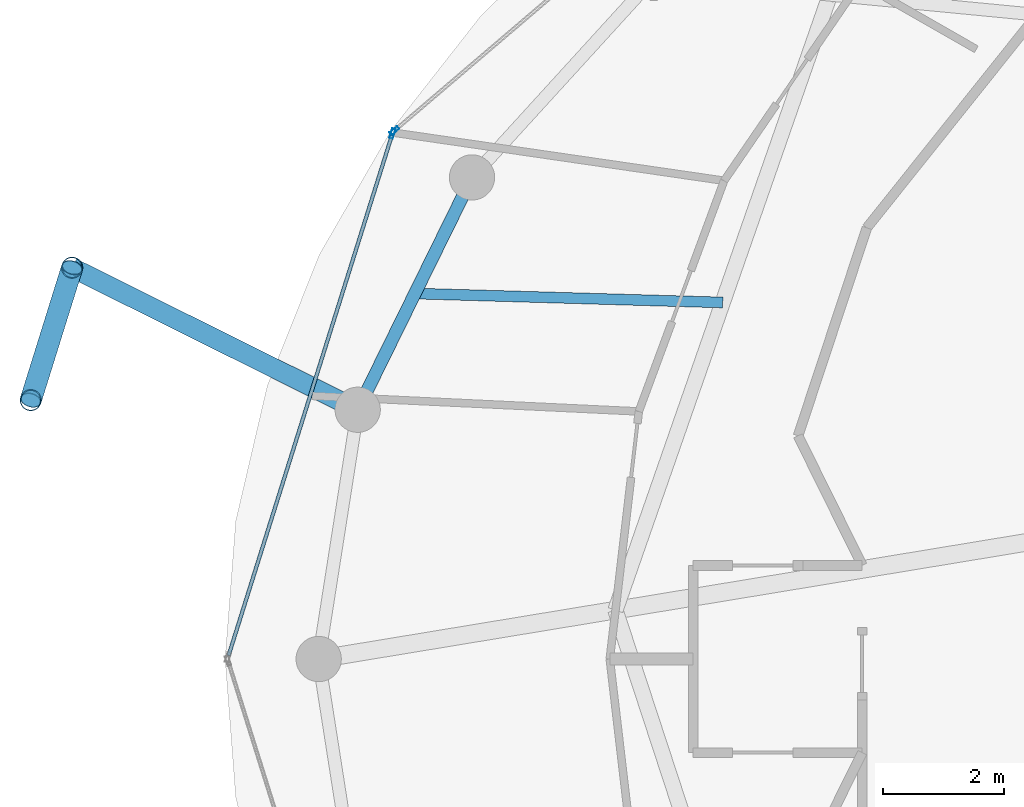
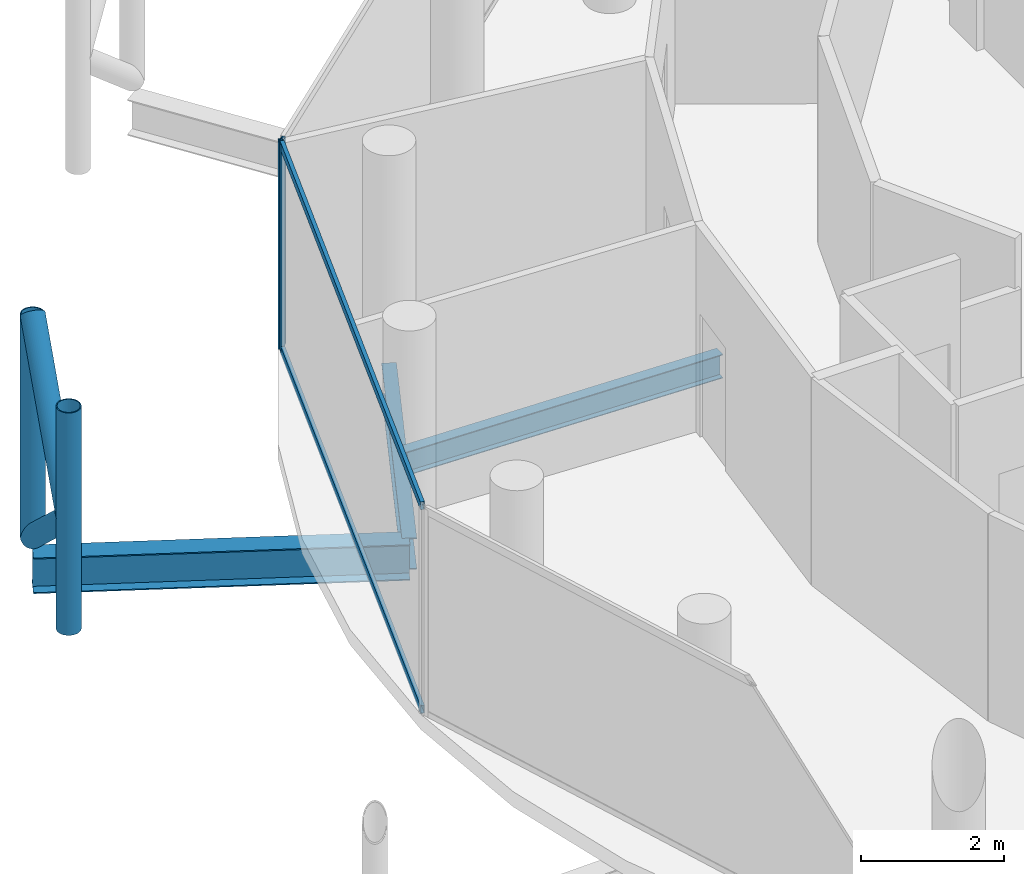
# One storey, part 7 of 24: 8 members, 3 beams, 2 elements without a shape of their own.
"""IFC4 building model written with IfcOpenShell, lengths in metres."""

from ifc_helpers import new_model, si_unit, direction, frame, origin, origin_2d, place, context, subcontext, project, spatial, hollow_rectangle, hollow_circle, i_section, extrude, material, layer, layer_set, material_profile, profile_set, type_object, element, aggregate, save


model = new_model("IFC4")

# Units and contexts
model_context = context("Model", 3, precision=1e-05, world=origin(), true_north=direction((0.0, 1.0)))
body_context = subcontext(model_context, "Body", "Model", "MODEL_VIEW")
ifc_project = project(units=[si_unit("LENGTHUNIT", "METRE"), si_unit("AREAUNIT", "SQUARE_METRE"), si_unit("VOLUMEUNIT", "CUBIC_METRE"), si_unit("PLANEANGLEUNIT", "RADIAN"), si_unit("MASSUNIT", "GRAM", prefix="KILO")], contexts=[model_context])

# Site, building, storey
site_placement = place(None, origin())
site = spatial("IfcSite", under=ifc_project, at=site_placement, CompositionType="ELEMENT")
building_placement = place(site_placement, origin())
building = spatial("IfcBuilding", under=site, at=building_placement, Name="Nuhasar Tower", CompositionType="ELEMENT")
storey_placement = place(building_placement, frame((0.0, 0.0, 259.39990234375)))
storey = spatial("IfcBuildingStorey", under=building, at=storey_placement, Name="L64", CompositionType="ELEMENT", Elevation=259.39990234375)

# Beams
ifc_material_1 = material(Name="Steel S355", Category="steel")
ifc_material_profile_1 = material_profile(ifc_material_1, i_section(OverallWidth=0.177978515625, OverallDepth=0.406005859375, WebThickness=0.0078125, FlangeThickness=0.0126953125, at=origin_2d()), Name="W16X40")
ifc_profile_set_1 = profile_set([ifc_material_profile_1], Name="Steel S355")
beam_type_1 = type_object("IfcBeamType", Name="BM-JST-W16X40", PredefinedType="JOIST", material=ifc_profile_set_1)
beam_1_placement = place(storey_placement, frame((26.739990234375, 32.7041015625, -0.462890625), z_axis=(-0.999579139243, 0.02900938453, 0.0), x_axis=(-0.02900938453, -0.999579139243, 0.0)))
element("IfcBeam", 1, at=beam_1_placement, inside=storey, type_object=beam_type_1, Name="L64 Secondary Floor Joist 07", PredefinedType="JOIST", context=body_context, shape_type="SweptSolid", body=[
    extrude(i_section(OverallWidth=0.177978515625, OverallDepth=0.406005859375, WebThickness=0.0078125, FlangeThickness=0.0126953125, at=origin_2d()), origin(), (0.0, 0.0, 1.0), 5.10009765625),
])
ifc_material_profile_2 = material_profile(ifc_material_1, i_section(OverallWidth=0.2099609375, OverallDepth=0.537109375, WebThickness=0.010986328125, FlangeThickness=0.017333984375, at=origin_2d()), Name="W21X68")
ifc_profile_set_2 = profile_set([ifc_material_profile_2], Name="Steel S355")
beam_type_2 = type_object("IfcBeamType", Name="BM-RING-W21X68", PredefinedType="SPANDREL", material=ifc_profile_set_2)
beam_2_placement = place(storey_placement, frame((22.589111328125, 34.77490234375, -0.52880859375), z_axis=(-0.441533119295, -0.897244952377, 0.0), x_axis=(0.897244952377, -0.441533119295, 0.0)))
element("IfcBeam", 2, at=beam_2_placement, inside=storey, type_object=beam_type_2, Name="L64 Perimeter Ring Spandrel 11", PredefinedType="SPANDREL", context=body_context, shape_type="SweptSolid", body=[
    extrude(i_section(OverallWidth=0.2099609375, OverallDepth=0.537109375, WebThickness=0.010986328125, FlangeThickness=0.017333984375, at=origin_2d()), origin(), (0.0, 0.0, 1.0), 4.28759765625),
])
ifc_material_profile_3 = material_profile(ifc_material_1, i_section(OverallWidth=0.323974609375, OverallDepth=0.611083984375, WebThickness=0.0126953125, FlangeThickness=0.01904296875, at=origin_2d()), Name="W24X104")
ifc_profile_set_3 = profile_set([ifc_material_profile_3], Name="Steel S355")
beam_type_3 = type_object("IfcBeamType", Name="BM-TIE-W24X104", PredefinedType="BEAM", material=ifc_profile_set_3)
beam_3_placement = place(storey_placement, frame((20.696044921875, 30.927978515625, -0.56591796875), z_axis=(-0.895294451274, 0.445474853969, 0.0), x_axis=(-0.445474853969, -0.895294451274, 0.0)))
element("IfcBeam", 3, at=beam_3_placement, inside=storey, type_object=beam_type_3, Name="L64 Exoskeleton Node Tie Beam 06", PredefinedType="BEAM", context=body_context, shape_type="SweptSolid", body=[
    extrude(i_section(OverallWidth=0.323974609375, OverallDepth=0.611083984375, WebThickness=0.0126953125, FlangeThickness=0.01904296875, at=origin_2d()), origin(), (0.0, 0.0, 1.0), 5.281982421875),
])

# Curtain wall, member
ifc_material_2 = material(Name="Aluminium 6063-T6", Category="aluminium")
ifc_layer = layer(ifc_material_2, 0.18994140625)
ifc_layer_set = layer_set([ifc_layer], Name="Aluminium 6063-T6")
curtain_wall_type = type_object("IfcCurtainWallType", Name="CW-Z4-PEN", PredefinedType="NOTDEFINED", material=ifc_layer_set)
curtain_wall_1_placement = place(storey_placement, origin())
curtain_wall_1 = element("IfcCurtainWall", 4, at=curtain_wall_1_placement, inside=storey, type_object=curtain_wall_type, Name="L64 Unitised Curtain Wall 05", PredefinedType="NOTDEFINED")
ifc_material_profile_4 = material_profile(ifc_material_2, hollow_rectangle(XDim=0.06005859375, YDim=0.1650390625, WallThickness=0.0048828125, at=origin_2d()), Name="CWM-5")
ifc_profile_set_4 = profile_set([ifc_material_profile_4], Name="Aluminium 6063-T6")
member_type_1 = type_object("IfcMemberType", Name="CW-MUL-S5", PredefinedType="MULLION", material=ifc_profile_set_4)
member_1_placement = place(storey_placement, frame((21.3037109375, 35.549560546875, 0.0), z_axis=(0.0, 0.0, 1.0), x_axis=(0.649141996205, -0.760667252327, 0.0)))
member_1 = element("IfcMember", 5, at=member_1_placement, type_object=member_type_1, Name="CW-Z4 mullion 2", PredefinedType="MULLION", context=body_context, shape_type="SweptSolid", body=[
    extrude(hollow_rectangle(XDim=0.06005859375, YDim=0.1650390625, WallThickness=0.0048828125, at=origin_2d()), origin(), (0.0, 0.0, 1.0), 3.5400390625),
])
aggregate(curtain_wall_1, [member_1])

# Curtain wall, members
curtain_wall_2_placement = place(storey_placement, origin())
curtain_wall_2 = element("IfcCurtainWall", 6, at=curtain_wall_2_placement, inside=storey, type_object=curtain_wall_type, Name="L64 Unitised Curtain Wall 06", PredefinedType="NOTDEFINED")
member_2_placement = place(storey_placement, frame((21.27197265625, 35.50146484375, 0.0), z_axis=(0.0, 0.0, 1.0), x_axis=(0.954078526601, -0.299556614146, 0.0)))
member_2 = element("IfcMember", 7, at=member_2_placement, type_object=member_type_1, Name="CW-Z4 mullion 1", PredefinedType="MULLION", context=body_context, shape_type="SweptSolid", body=[
    extrude(hollow_rectangle(XDim=0.06005859375, YDim=0.1650390625, WallThickness=0.0048828125, at=origin_2d()), origin(), (0.0, 0.0, 1.0), 3.5400390625),
])
ifc_material_profile_5 = material_profile(ifc_material_2, hollow_rectangle(XDim=0.06005859375, YDim=0.135009765625, WallThickness=0.00439453125, at=origin_2d()), Name="CWT-5")
ifc_profile_set_5 = profile_set([ifc_material_profile_5], Name="Aluminium 6063-T6")
member_type_2 = type_object("IfcMemberType", Name="CW-TRN-S5", PredefinedType="USERDEFINED", material=ifc_profile_set_5)
member_3_placement = place(storey_placement, frame((21.262939453125, 35.47265625, 0.030029296875), z_axis=(-0.29956014073, -0.954077419335, 0.0), x_axis=(0.954077419335, -0.29956014073, 0.0)))
member_3 = element("IfcMember", 8, at=member_3_placement, type_object=member_type_2, Name="CW-Z4 transom 1.1", ObjectType="TRANSOM", PredefinedType="USERDEFINED", context=body_context, shape_type="SweptSolid", body=[
    extrude(hollow_rectangle(XDim=0.06005859375, YDim=0.135009765625, WallThickness=0.00439453125, at=origin_2d()), origin(), (0.0, 0.0, 1.0), 9.0302734375),
])
member_4_placement = place(storey_placement, frame((21.262939453125, 35.47265625, 3.510009765625), z_axis=(-0.29956014073, -0.954077419335, 0.0), x_axis=(0.954077419335, -0.29956014073, 0.0)))
member_4 = element("IfcMember", 9, at=member_4_placement, type_object=member_type_2, Name="CW-Z4 transom 1.2", ObjectType="TRANSOM", PredefinedType="USERDEFINED", context=body_context, shape_type="SweptSolid", body=[
    extrude(hollow_rectangle(XDim=0.06005859375, YDim=0.135009765625, WallThickness=0.00439453125, at=origin_2d()), origin(), (0.0, 0.0, 1.0), 9.0302734375),
])
aggregate(curtain_wall_2, [member_2, member_3, member_4])

# Members
ifc_material_3 = material(Name="Steel S460", Category="steel")
ifc_material_profile_6 = material_profile(ifc_material_3, hollow_circle(Radius=0.177734375, WallThickness=0.015869140625, at=origin_2d()), Name="HSS355.6X15.9")
ifc_profile_set_6 = profile_set([ifc_material_profile_6], Name="Steel S460")
member_type_3 = type_object("IfcMemberType", Name="EXO-BRONZE-356", PredefinedType="BRACE", material=ifc_profile_set_6)
for number, where, z_axis, x_axis, name in (
    (10, (15.967041015625, 33.281005859375, 0.0), (0.0, 0.0, 1.0), (1.0, 0.0, 0.0), "L64 Exoskeleton Chord Column EC-06A"),
    (11, (15.281982421875, 31.0859375, 0.0), (0.0, 0.0, 1.0), (1.0, 0.0, 0.0), "L64 Exoskeleton Chord Column EC-06B"),
):
    element("IfcMember", number, at=place(storey_placement, frame(where, z_axis=z_axis, x_axis=x_axis)), inside=storey, type_object=member_type_3, Name=name, PredefinedType="BRACE", context=body_context, shape_type="SweptSolid", body=[
        extrude(hollow_circle(Radius=0.177734375, WallThickness=0.015869140625, at=origin_2d()), origin(), (0.0, 0.0, 1.0), 3.800048828125),
    ])
for number, where, z_axis, x_axis, name in (
    (12, (15.967041015625, 33.281005859375, 0.0), (-0.22965555433, -0.735863538482, 0.636995430987), (0.954591372974, -0.297918295247, 0.0), "L64 Bronze Diagrid Brace W1-06"),
    (13, (15.281982421875, 31.0859375, 1.900146484375), (0.229667527485, 0.735901902929, 0.636946792192), (-0.954591372974, 0.297918295247, 0.0), "L64 Bronze Diagrid Brace W2-06"),
):
    element("IfcMember", number, at=place(storey_placement, frame(where, z_axis=z_axis, x_axis=x_axis)), inside=storey, type_object=member_type_3, Name=name, PredefinedType="BRACE", context=body_context, shape_type="SweptSolid", body=[
        extrude(hollow_circle(Radius=0.177734375, WallThickness=0.015869140625, at=origin_2d()), origin(), (0.0, 0.0, 1.0), 2.98291015625),
    ])

save(model, "model.ifc")
